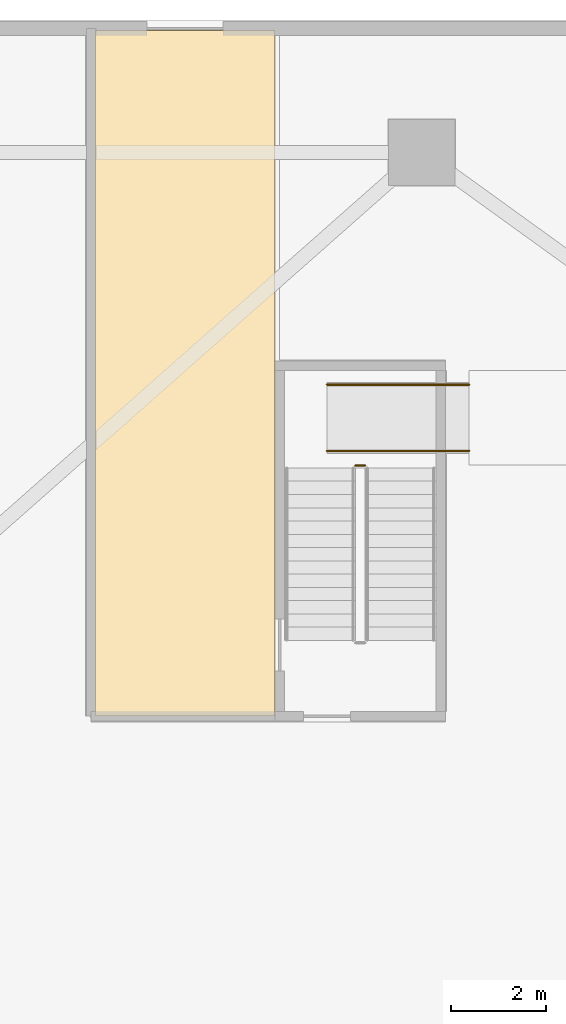
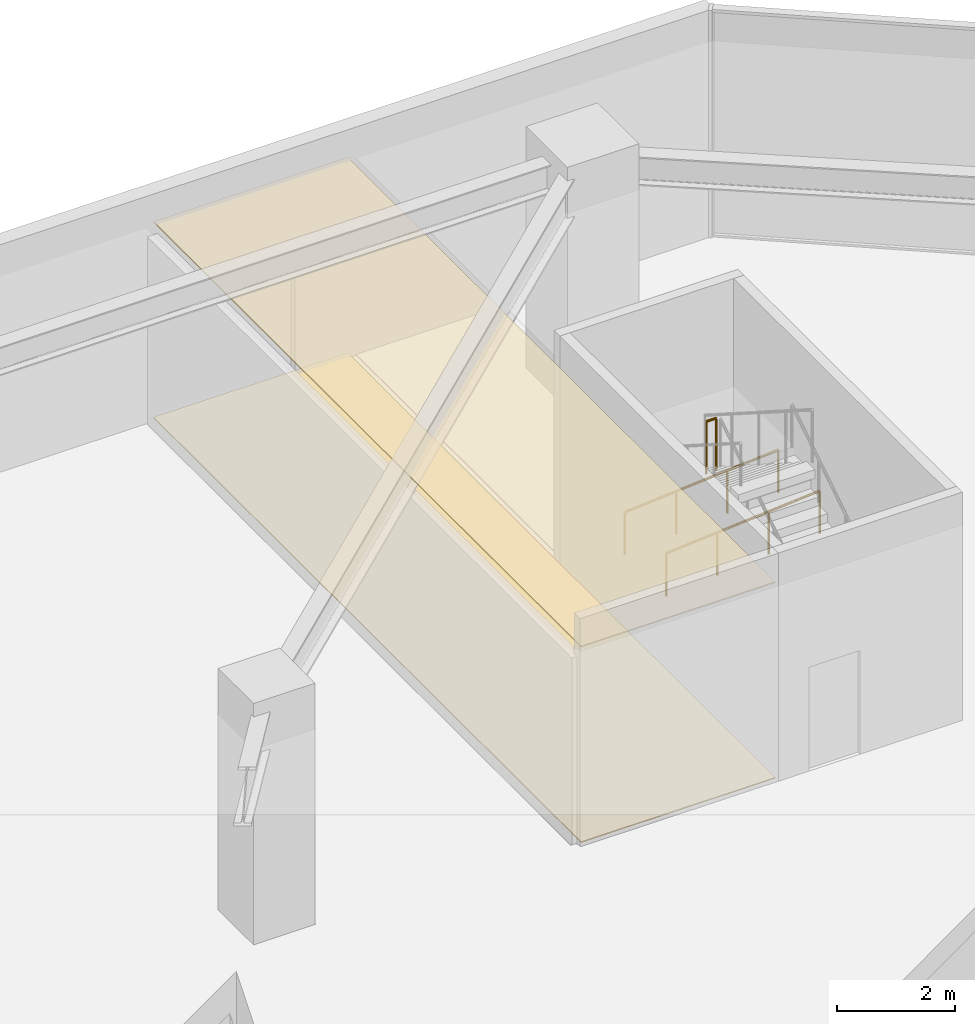
# One storey, part 19 of 22: 3 railings, 2 coverings.
"""IFC4 building model written with IfcOpenShell, lengths in metres."""

from ifc_helpers import new_model, si_unit, direction, frame, origin, origin_2d, place, context, subcontext, project, spatial, polyline, circle, outline, extrude, material, layer, layer_set, type_object, element, save


model = new_model("IFC4")

# Units and contexts
model_context = context("Model", 3, precision=1e-05, world=origin(), true_north=direction((0.0, 1.0)))
body_context = subcontext(model_context, "Body", "Model", "MODEL_VIEW")
ifc_project = project(units=[si_unit("LENGTHUNIT", "METRE"), si_unit("AREAUNIT", "SQUARE_METRE"), si_unit("VOLUMEUNIT", "CUBIC_METRE"), si_unit("PLANEANGLEUNIT", "RADIAN"), si_unit("MASSUNIT", "GRAM", prefix="KILO")], contexts=[model_context])

# Site, building, storey
site_placement = place(None, origin())
site = spatial("IfcSite", under=ifc_project, at=site_placement, CompositionType="ELEMENT")
building_placement = place(site_placement, origin())
building = spatial("IfcBuilding", under=site, at=building_placement, Name="Savorim Split Tower", CompositionType="ELEMENT")
storey_placement = place(building_placement, origin())
storey = spatial("IfcBuildingStorey", under=building, at=storey_placement, Name="L00", CompositionType="ELEMENT", Elevation=0.0)

# Coverings
ifc_material_1 = material(Name="Mineral Fibre Acoustic Ceiling")
ifc_layer_1 = layer(ifc_material_1, 0.02490234375)
ifc_layer_set_1 = layer_set([ifc_layer_1], Name="COV-CEIL-25")
covering_type_1 = type_object("IfcCoveringType", Name="COV-CEIL-25", PredefinedType="CEILING", material=ifc_layer_set_1)
covering_1_placement = place(storey_placement, frame((0.0, 0.0, 4.0400390625)))
element("IfcCovering", 1, at=covering_1_placement, inside=storey, type_object=covering_type_1, Name="L00 Exit Passage North-East Acoustic Ceiling", PredefinedType="CEILING", context=body_context, shape_type="SweptSolid", body=[
    extrude(outline(polyline([(16.60009765625, 27.97998046875), (16.60009765625, 13.5), (20.39990234375, 13.5), (20.39990234375, 27.97998046875), (16.60009765625, 27.97998046875)])), origin(), (0.0, 0.0, 1.0), 0.02490234375),
])
ifc_material_2 = material(Name="Porcelain Stoneware Flooring", Category="masonry")
ifc_layer_2 = layer(ifc_material_2, 0.02001953125)
ifc_layer_set_2 = layer_set([ifc_layer_2], Name="COV-FLOR-20")
covering_type_2 = type_object("IfcCoveringType", Name="COV-FLOR-20", PredefinedType="FLOORING", material=ifc_layer_set_2)
covering_2_placement = place(storey_placement, origin())
element("IfcCovering", 2, at=covering_2_placement, inside=storey, type_object=covering_type_2, Name="L00 Exit Passage North-East Porcelain Flooring", PredefinedType="FLOORING", context=body_context, shape_type="SweptSolid", body=[
    extrude(outline(polyline([(16.60009765625, 27.97998046875), (16.60009765625, 13.5), (20.39990234375, 13.5), (20.39990234375, 27.97998046875), (16.60009765625, 27.97998046875)])), origin(), (0.0, 0.0, 1.0), 0.02001953125),
])

# Railings
ifc_material_3 = material(Name="Galvanised Painted Steel Balustrade", Category="steel")
railing_type_1 = type_object("IfcRailingType", Name="RLG-HR-900", PredefinedType="HANDRAIL", material=ifc_material_3)
for number, where, name in (
    (3, (21.5, 19.10009765625, 0.0), "L00 North-East Plaza Threshold Ramp Handrail 1"),
    (4, (21.5, 20.5, 0.0), "L00 North-East Plaza Threshold Ramp Handrail 2"),
):
    element("IfcRailing", number, at=place(storey_placement, frame(where)), inside=storey, type_object=railing_type_1, Name=name, PredefinedType="HANDRAIL", context=body_context, shape_type="SweptSolid", body=[
        extrude(circle(Radius=0.02392578125, at=origin_2d()), frame((0.0, 0.0, 0.8759765625), z_axis=(0.996815536467, 0.0, 0.079741998075), x_axis=(0.0, 1.0, 0.0)), (0.0, 0.0, 1.0), 3.009521484375),
        extrude(circle(Radius=0.02099609375, at=origin_2d()), origin(), (0.0, 0.0, 1.0), 0.851806640625),
        extrude(circle(Radius=0.02099609375, at=origin_2d()), frame((1.0, 0.0, 0.080078125)), (0.0, 0.0, 1.0), 0.851806640625),
        extrude(circle(Radius=0.02099609375, at=origin_2d()), frame((2.0, 0.0, 0.159912109375)), (0.0, 0.0, 1.0), 0.851806640625),
        extrude(circle(Radius=0.02099609375, at=origin_2d()), frame((3.0, 0.0, 0.239990234375)), (0.0, 0.0, 1.0), 0.851806640625),
    ])
railing_type_2 = type_object("IfcRailingType", Name="RLG-STG-1100", PredefinedType="BALUSTRADE", material=ifc_material_3)
railing_placement = place(storey_placement, frame((22.300048828125, 18.7900390625, 2.5)))
element("IfcRailing", 5, at=railing_placement, inside=storey, type_object=railing_type_2, Name="L00 ST-3 stair guard 2", PredefinedType="BALUSTRADE", context=body_context, shape_type="SweptSolid", body=[
    extrude(circle(Radius=0.02392578125, at=origin_2d()), frame((0.0, 0.0, 1.076171875), z_axis=(-1.0, 0.0, 0.0), x_axis=(0.0, -1.0, 0.0)), (0.0, 0.0, 1.0), 0.199951171875),
    extrude(circle(Radius=0.02099609375, at=origin_2d()), origin(), (0.0, 0.0, 1.0), 1.052001953125),
    extrude(circle(Radius=0.02099609375, at=origin_2d()), frame((-0.199951171875, 0.0, 0.0)), (0.0, 0.0, 1.0), 1.052001953125),
])

save(model, "model.ifc")
